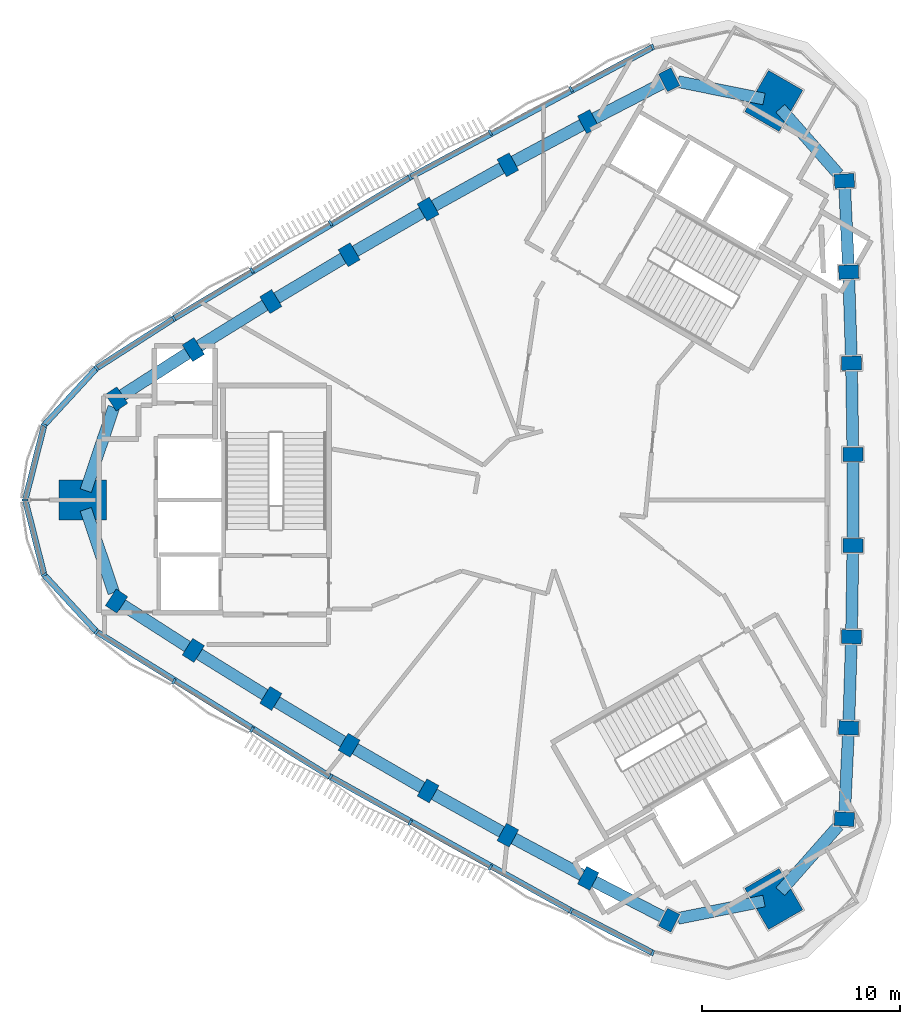
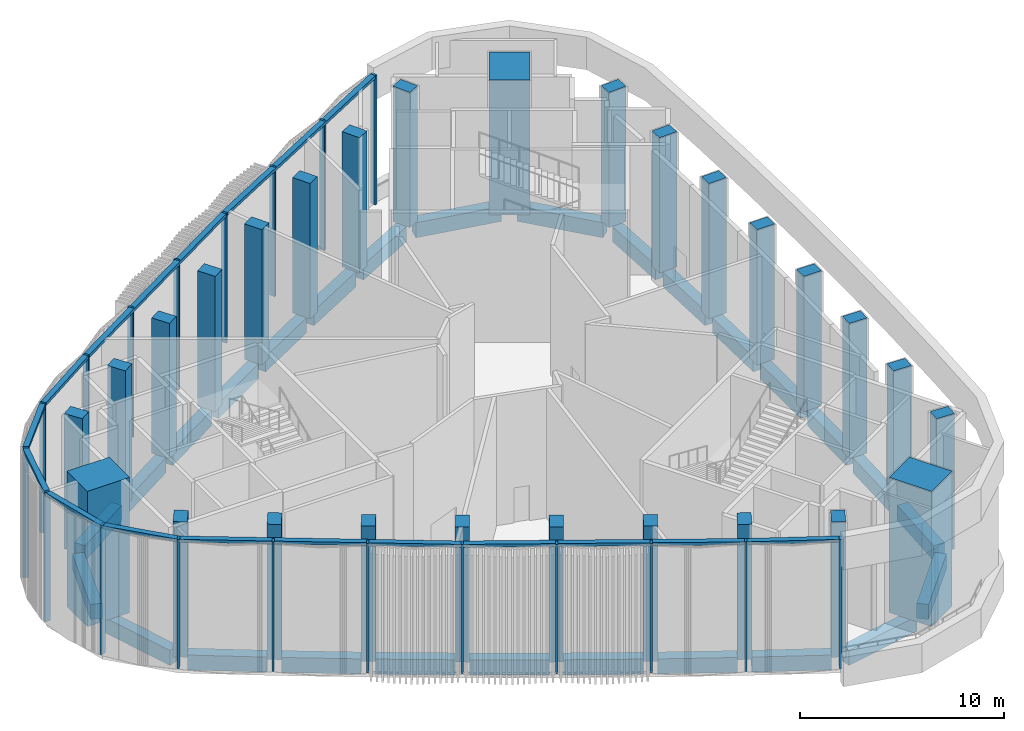
# One storey, part 1 of 11: 29 members, 27 beams, 27 columns, 2 elements without a shape of their own.
"""IFC4 building model written with IfcOpenShell, lengths in metres."""

from ifc_helpers import new_model, si_unit, direction, frame, origin, origin_2d, place, context, subcontext, project, spatial, rectangle, extrude, material, material_profile, profile_set, type_object, element, aggregate, save


model = new_model("IFC4")

# Units and contexts
model_context = context("Model", 3, precision=1e-05, world=origin(), true_north=direction((0.0, 1.0)))
body_context = subcontext(model_context, "Body", "Model", "MODEL_VIEW")
ifc_project = project(units=[si_unit("LENGTHUNIT", "METRE"), si_unit("AREAUNIT", "SQUARE_METRE"), si_unit("VOLUMEUNIT", "CUBIC_METRE"), si_unit("PLANEANGLEUNIT", "RADIAN"), si_unit("MASSUNIT", "GRAM", prefix="KILO")], contexts=[model_context])

# Site, building, storey
site_placement = place(None, origin())
site = spatial("IfcSite", under=ifc_project, at=site_placement, CompositionType="ELEMENT")
building_placement = place(site_placement, origin())
building = spatial("IfcBuilding", under=site, at=building_placement, Name="Tamra Quay Hotel Tower", CompositionType="ELEMENT")
storey_placement = place(building_placement, frame((0.0, 0.0, 312.60009765625)))
storey = spatial("IfcBuildingStorey", under=building, at=storey_placement, Name="L78", CompositionType="ELEMENT", Elevation=312.60009765625)

# Columns
ifc_material_1 = material(Name="Concrete M70", Category="concrete")
ifc_material_profile_1 = material_profile(ifc_material_1, rectangle(XDim=1.0, YDim=0.699951171875, at=origin_2d()), Name="COLUMN RC 700x1000 Z6")
ifc_profile_set_1 = profile_set([ifc_material_profile_1], Name="Concrete M70")
column_type_1 = type_object("IfcColumnType", Name="COLUMN RC 700x1000 Z6", PredefinedType="COLUMN", material=ifc_profile_set_1)
for number, where, z_axis, x_axis, name in (
    (1, (15.202392578125, -16.116943359375, -0.35009765625), (0.0, 0.0, 1.0), (-0.998490919119, 0.05491706873, 0.0), "COL-C6E01-L78"),
    (2, (15.418212890625, -11.51513671875, -0.35009765625), (0.0, 0.0, 1.0), (-0.999251212442, 0.03869127076, 0.0), "COL-C6E02-L78"),
    (3, (15.56201171875, -6.909912109375, -0.35009765625), (0.0, 0.0, 1.0), (-0.999717847188, 0.023753442163, 0.0), "COL-C6E03-L78"),
    (4, (15.634033203125, -2.303466796875, -0.35009765625), (0.0, 0.0, 1.0), (-0.999968634555, 0.007920221337, 0.0), "COL-C6E04-L78"),
    (5, (15.634033203125, 2.303466796875, -0.35009765625), (0.0, 0.0, 1.0), (0.999968634555, 0.007920221337, 0.0), "COL-C6E05-L78"),
    (6, (15.56201171875, 6.909912109375, -0.35009765625), (0.0, 0.0, 1.0), (0.999717847188, 0.023753442163, 0.0), "COL-C6E06-L78"),
    (7, (15.418212890625, 11.51513671875, -0.35009765625), (0.0, 0.0, 1.0), (0.999251212442, 0.03869127076, 0.0), "COL-C6E07-L78"),
    (8, (15.202392578125, 16.116943359375, -0.35009765625), (0.0, 0.0, 1.0), (0.998490919119, 0.05491706873, 0.0), "COL-C6E08-L78"),
    (9, (6.3564453125, 21.22412109375, -0.35009765625), (0.0, 0.0, 1.0), (-0.451685882938, 0.89217703577, 0.0), "COL-C6NW01-L78"),
    (10, (2.26318359375, 19.110107421875, -0.35009765625), (0.0, 0.0, 1.0), (-0.466117982839, 0.884722570117, 0.0), "COL-C6NW02-L78"),
    (11, (-1.796875, 16.93212890625, -0.35009765625), (0.0, 0.0, 1.0), (-0.479287839253, 0.877657773363, 0.0), "COL-C6NW03-L78"),
    (12, (-5.822265625, 14.69140625, -0.35009765625), (0.0, 0.0, 1.0), (-0.493125204396, 0.869958351181, 0.0), "COL-C6NW04-L78"),
    (13, (-9.81201171875, 12.3876953125, -0.35009765625), (0.0, 0.0, 1.0), (-0.506843430159, 0.862038129844, 0.0), "COL-C6NW05-L78"),
    (14, (-13.765380859375, 10.022216796875, -0.35009765625), (0.0, 0.0, 1.0), (-0.520430007934, 0.8539043312, 0.0), "COL-C6NW06-L78"),
    (15, (-17.681396484375, 7.594970703125, -0.35009765625), (0.0, 0.0, 1.0), (-0.533133229604, 0.846031299357, 0.0), "COL-C6NW07-L78"),
    (16, (-21.558837890625, 5.107421875, -0.35009765625), (0.0, 0.0, 1.0), (-0.546805036181, 0.83725996704, 0.0), "COL-C6NW08-L78"),
    (17, (-21.558837890625, -5.107421875, -0.35009765625), (0.0, 0.0, 1.0), (0.546805036181, 0.83725996704, 0.0), "COL-C6SW01-L78"),
    (18, (-17.681396484375, -7.594970703125, -0.35009765625), (0.0, 0.0, 1.0), (0.533133229604, 0.846031299357, 0.0), "COL-C6SW02-L78"),
    (19, (-13.765380859375, -10.022216796875, -0.35009765625), (0.0, 0.0, 1.0), (0.520430007934, 0.8539043312, 0.0), "COL-C6SW03-L78"),
    (20, (-9.81201171875, -12.3876953125, -0.35009765625), (0.0, 0.0, 1.0), (0.506843430159, 0.862038129844, 0.0), "COL-C6SW04-L78"),
    (21, (-5.822265625, -14.69140625, -0.35009765625), (0.0, 0.0, 1.0), (0.493125204396, 0.869958351181, 0.0), "COL-C6SW05-L78"),
    (22, (-1.796875, -16.93212890625, -0.35009765625), (0.0, 0.0, 1.0), (0.479287839253, 0.877657773363, 0.0), "COL-C6SW06-L78"),
    (23, (2.26318359375, -19.110107421875, -0.35009765625), (0.0, 0.0, 1.0), (0.466117982839, 0.884722570117, 0.0), "COL-C6SW07-L78"),
    (24, (6.3564453125, -21.22412109375, -0.35009765625), (0.0, 0.0, 1.0), (0.451685882938, 0.89217703577, 0.0), "COL-C6SW08-L78"),
):
    element("IfcColumn", number, at=place(storey_placement, frame(where, z_axis=z_axis, x_axis=x_axis)), inside=storey, type_object=column_type_1, Name=name, PredefinedType="COLUMN", context=body_context, shape_type="SweptSolid", body=[
        extrude(rectangle(XDim=1.0, YDim=0.699951171875, at=origin_2d()), origin(), (0.0, 0.0, 1.0), 8.10009765625),
    ])
ifc_material_profile_2 = material_profile(ifc_material_1, rectangle(XDim=2.39990234375, YDim=2.0, at=origin_2d()), Name="MEGA COLUMN RC 2000x2400 Z6")
ifc_profile_set_2 = profile_set([ifc_material_profile_2], Name="Concrete M70")
column_type_2 = type_object("IfcColumnType", Name="MEGA COLUMN RC 2000x2400 Z6", PredefinedType="COLUMN", material=ifc_profile_set_2)
for number, where, z_axis, x_axis, name in (
    (25, (11.63671875, 20.1552734375, -0.35009765625), (0.0, 0.0, 1.0), (0.5, 0.866025403784, 0.0), "COL-M6NE-L78"),
    (26, (-23.2734375, 0.0, -0.35009765625), (0.0, 0.0, 1.0), (1.0, 0.0, 0.0), "COL-M6W-L78"),
    (27, (11.63671875, -20.1552734375, -0.35009765625), (0.0, 0.0, 1.0), (-0.5, 0.866025403784, 0.0), "COL-M6SE-L78"),
):
    element("IfcColumn", number, at=place(storey_placement, frame(where, z_axis=z_axis, x_axis=x_axis)), inside=storey, type_object=column_type_2, Name=name, PredefinedType="COLUMN", context=body_context, shape_type="SweptSolid", body=[
        extrude(rectangle(XDim=2.39990234375, YDim=2.0, at=origin_2d()), origin(), (0.0, 0.0, 1.0), 8.10009765625),
    ])

# Curtain wall, members
ifc_material_2 = material(Name="Aluminium 6063 anodised dark grey", Category="aluminium")
curtain_wall_type = type_object("IfcCurtainWallType", Name="CW5 CURTAIN WALL", PredefinedType="NOTDEFINED", material=ifc_material_2)
curtain_wall_1_placement = place(storey_placement, origin())
curtain_wall_1 = element("IfcCurtainWall", 28, at=curtain_wall_1_placement, inside=storey, type_object=curtain_wall_type, Name="CW5 north-west face L78", PredefinedType="NOTDEFINED")
ifc_material_profile_3 = material_profile(ifc_material_2, rectangle(XDim=0.300048828125, YDim=0.1201171875, at=origin_2d()), Name="MULLION 120X300")
ifc_profile_set_3 = profile_set([ifc_material_profile_3], Name="Aluminium 6063 anodised dark grey")
member_type_1 = type_object("IfcMemberType", Name="MULLION CW5", PredefinedType="MULLION", material=ifc_profile_set_3)
member_1_placement = place(storey_placement, frame((5.520751953125, 22.874755859375, 0.0), z_axis=(0.0, 0.0, 1.0), x_axis=(-0.341653449551, 0.939826005391, 0.0)))
member_1 = element("IfcMember", 29, at=member_1_placement, type_object=member_type_1, Name="CW5 mullion L78.NW.1", PredefinedType="MULLION", context=body_context, shape_type="SweptSolid", body=[
    extrude(rectangle(XDim=0.300048828125, YDim=0.1201171875, at=origin_2d()), origin(), (0.0, 0.0, 1.0), 7.75),
])
member_2_placement = place(storey_placement, frame((1.401123046875, 20.746826171875, 0.0), z_axis=(0.0, 0.0, 1.0), x_axis=(-0.465815646639, 0.884881790606, 0.0)))
member_2 = element("IfcMember", 30, at=member_2_placement, type_object=member_type_1, Name="CW5 mullion L78.NW.2", PredefinedType="MULLION", context=body_context, shape_type="SweptSolid", body=[
    extrude(rectangle(XDim=0.300048828125, YDim=0.1201171875, at=origin_2d()), origin(), (0.0, 0.0, 1.0), 7.75),
])
member_3_placement = place(storey_placement, frame((-2.68359375, 18.555908203125, 0.0), z_axis=(0.0, 0.0, 1.0), x_axis=(-0.479564864193, 0.877506433613, 0.0)))
member_3 = element("IfcMember", 31, at=member_3_placement, type_object=member_type_1, Name="CW5 mullion L78.NW.3", PredefinedType="MULLION", context=body_context, shape_type="SweptSolid", body=[
    extrude(rectangle(XDim=0.300048828125, YDim=0.1201171875, at=origin_2d()), origin(), (0.0, 0.0, 1.0), 7.75),
])
member_4_placement = place(storey_placement, frame((-6.734375, 16.30078125, 0.0), z_axis=(0.0, 0.0, 1.0), x_axis=(-0.493215447696, 0.86990719169, 0.0)))
member_4 = element("IfcMember", 32, at=member_4_placement, type_object=member_type_1, Name="CW5 mullion L78.NW.4", PredefinedType="MULLION", context=body_context, shape_type="SweptSolid", body=[
    extrude(rectangle(XDim=0.300048828125, YDim=0.1201171875, at=origin_2d()), origin(), (0.0, 0.0, 1.0), 7.75),
])
member_5_placement = place(storey_placement, frame((-10.74951171875, 13.982666015625, 0.0), z_axis=(0.0, 0.0, 1.0), x_axis=(-0.50675400309, 0.862090703089, 0.0)))
member_5 = element("IfcMember", 33, at=member_5_placement, type_object=member_type_1, Name="CW5 mullion L78.NW.5", PredefinedType="MULLION", context=body_context, shape_type="SweptSolid", body=[
    extrude(rectangle(XDim=0.300048828125, YDim=0.1201171875, at=origin_2d()), origin(), (0.0, 0.0, 1.0), 7.75),
])
member_6_placement = place(storey_placement, frame((-14.72802734375, 11.60205078125, 0.0), z_axis=(0.0, 0.0, 1.0), x_axis=(-0.520160431396, 0.85406857196, 0.0)))
member_6 = element("IfcMember", 34, at=member_6_placement, type_object=member_type_1, Name="CW5 mullion L78.NW.6", PredefinedType="MULLION", context=body_context, shape_type="SweptSolid", body=[
    extrude(rectangle(XDim=0.300048828125, YDim=0.1201171875, at=origin_2d()), origin(), (0.0, 0.0, 1.0), 7.75),
])
member_7_placement = place(storey_placement, frame((-18.667724609375, 9.16015625, 0.0), z_axis=(0.0, 0.0, 1.0), x_axis=(-0.533422286692, 0.845849078773, 0.0)))
member_7 = element("IfcMember", 35, at=member_7_placement, type_object=member_type_1, Name="CW5 mullion L78.NW.7", PredefinedType="MULLION", context=body_context, shape_type="SweptSolid", body=[
    extrude(rectangle(XDim=0.300048828125, YDim=0.1201171875, at=origin_2d()), origin(), (0.0, 0.0, 1.0), 7.75),
])
member_8_placement = place(storey_placement, frame((-22.570556640625, 6.65625, 0.0), z_axis=(0.0, 0.0, 1.0), x_axis=(-0.64308647103, 0.765793569298, 0.0)))
member_8 = element("IfcMember", 36, at=member_8_placement, type_object=member_type_1, Name="CW5 mullion L78.NW.8", PredefinedType="MULLION", context=body_context, shape_type="SweptSolid", body=[
    extrude(rectangle(XDim=0.300048828125, YDim=0.1201171875, at=origin_2d()), origin(), (0.0, 0.0, 1.0), 7.75),
])
member_9_placement = place(storey_placement, frame((-25.21484375, 3.784423828125, 0.0), z_axis=(0.0, 0.0, 1.0), x_axis=(-0.879433050093, 0.476022594427, 0.0)))
member_9 = element("IfcMember", 37, at=member_9_placement, type_object=member_type_1, Name="CW5 mullion L78.NW.9", PredefinedType="MULLION", context=body_context, shape_type="SweptSolid", body=[
    extrude(rectangle(XDim=0.300048828125, YDim=0.1201171875, at=origin_2d()), origin(), (0.0, 0.0, 1.0), 7.75),
])
member_10_placement = place(storey_placement, frame((-26.17333984375, 0.0, 0.0), z_axis=(0.0, 0.0, 1.0), x_axis=(-1.0, 0.0, 0.0)))
member_10 = element("IfcMember", 38, at=member_10_placement, type_object=member_type_1, Name="CW5 mullion L78.NW.10", PredefinedType="MULLION", context=body_context, shape_type="SweptSolid", body=[
    extrude(rectangle(XDim=0.300048828125, YDim=0.1201171875, at=origin_2d()), origin(), (0.0, 0.0, 1.0), 7.75),
])
member_11_placement = place(storey_placement, frame((-25.21484375, -3.784423828125, 0.0), z_axis=(0.0, 0.0, 1.0), x_axis=(-0.879433050093, -0.476022594427, 0.0)))
member_11 = element("IfcMember", 39, at=member_11_placement, type_object=member_type_1, Name="CW5 mullion L78.NW.11", PredefinedType="MULLION", context=body_context, shape_type="SweptSolid", body=[
    extrude(rectangle(XDim=0.300048828125, YDim=0.1201171875, at=origin_2d()), origin(), (0.0, 0.0, 1.0), 7.75),
])

curtain_wall_2_placement = place(storey_placement, origin())
curtain_wall_2 = element("IfcCurtainWall", 40, at=curtain_wall_2_placement, inside=storey, type_object=curtain_wall_type, Name="CW5 south-west face L78", PredefinedType="NOTDEFINED")
member_12_placement = place(storey_placement, frame((-22.570556640625, -6.65625, 0.0), z_axis=(0.0, 0.0, 1.0), x_axis=(-0.64308647103, -0.765793569298, 0.0)))
member_12 = element("IfcMember", 41, at=member_12_placement, type_object=member_type_1, Name="CW5 mullion L78.SW.1", PredefinedType="MULLION", context=body_context, shape_type="SweptSolid", body=[
    extrude(rectangle(XDim=0.300048828125, YDim=0.1201171875, at=origin_2d()), origin(), (0.0, 0.0, 1.0), 7.75),
])
member_13_placement = place(storey_placement, frame((-18.667724609375, -9.16015625, 0.0), z_axis=(0.0, 0.0, 1.0), x_axis=(-0.533422286692, -0.845849078773, 0.0)))
member_13 = element("IfcMember", 42, at=member_13_placement, type_object=member_type_1, Name="CW5 mullion L78.SW.2", PredefinedType="MULLION", context=body_context, shape_type="SweptSolid", body=[
    extrude(rectangle(XDim=0.300048828125, YDim=0.1201171875, at=origin_2d()), origin(), (0.0, 0.0, 1.0), 7.75),
])
member_14_placement = place(storey_placement, frame((-14.72802734375, -11.60205078125, 0.0), z_axis=(0.0, 0.0, 1.0), x_axis=(-0.520160431396, -0.85406857196, 0.0)))
member_14 = element("IfcMember", 43, at=member_14_placement, type_object=member_type_1, Name="CW5 mullion L78.SW.3", PredefinedType="MULLION", context=body_context, shape_type="SweptSolid", body=[
    extrude(rectangle(XDim=0.300048828125, YDim=0.1201171875, at=origin_2d()), origin(), (0.0, 0.0, 1.0), 7.75),
])
member_15_placement = place(storey_placement, frame((-10.74951171875, -13.982666015625, 0.0), z_axis=(0.0, 0.0, 1.0), x_axis=(-0.50675400309, -0.862090703089, 0.0)))
member_15 = element("IfcMember", 44, at=member_15_placement, type_object=member_type_1, Name="CW5 mullion L78.SW.4", PredefinedType="MULLION", context=body_context, shape_type="SweptSolid", body=[
    extrude(rectangle(XDim=0.300048828125, YDim=0.1201171875, at=origin_2d()), origin(), (0.0, 0.0, 1.0), 7.75),
])
member_16_placement = place(storey_placement, frame((-6.734375, -16.30078125, 0.0), z_axis=(0.0, 0.0, 1.0), x_axis=(-0.493215447696, -0.86990719169, 0.0)))
member_16 = element("IfcMember", 45, at=member_16_placement, type_object=member_type_1, Name="CW5 mullion L78.SW.5", PredefinedType="MULLION", context=body_context, shape_type="SweptSolid", body=[
    extrude(rectangle(XDim=0.300048828125, YDim=0.1201171875, at=origin_2d()), origin(), (0.0, 0.0, 1.0), 7.75),
])
member_17_placement = place(storey_placement, frame((-2.68359375, -18.555908203125, 0.0), z_axis=(0.0, 0.0, 1.0), x_axis=(-0.479564864193, -0.877506433613, 0.0)))
member_17 = element("IfcMember", 46, at=member_17_placement, type_object=member_type_1, Name="CW5 mullion L78.SW.6", PredefinedType="MULLION", context=body_context, shape_type="SweptSolid", body=[
    extrude(rectangle(XDim=0.300048828125, YDim=0.1201171875, at=origin_2d()), origin(), (0.0, 0.0, 1.0), 7.75),
])
member_18_placement = place(storey_placement, frame((1.401123046875, -20.746826171875, 0.0), z_axis=(0.0, 0.0, 1.0), x_axis=(-0.465815646639, -0.884881790606, 0.0)))
member_18 = element("IfcMember", 47, at=member_18_placement, type_object=member_type_1, Name="CW5 mullion L78.SW.7", PredefinedType="MULLION", context=body_context, shape_type="SweptSolid", body=[
    extrude(rectangle(XDim=0.300048828125, YDim=0.1201171875, at=origin_2d()), origin(), (0.0, 0.0, 1.0), 7.75),
])
member_19_placement = place(storey_placement, frame((5.520751953125, -22.874755859375, 0.0), z_axis=(0.0, 0.0, 1.0), x_axis=(-0.341653449551, -0.939826005391, 0.0)))
member_19 = element("IfcMember", 48, at=member_19_placement, type_object=member_type_1, Name="CW5 mullion L78.SW.8", PredefinedType="MULLION", context=body_context, shape_type="SweptSolid", body=[
    extrude(rectangle(XDim=0.300048828125, YDim=0.1201171875, at=origin_2d()), origin(), (0.0, 0.0, 1.0), 7.75),
])

# Beams
ifc_material_3 = material(Name="Concrete M60", Category="concrete")
ifc_material_profile_4 = material_profile(ifc_material_3, rectangle(XDim=0.60009765625, YDim=0.89990234375, at=origin_2d()), Name="SPANDREL BEAM RC 600x900")
ifc_profile_set_4 = profile_set([ifc_material_profile_4], Name="Concrete M60")
beam_type = type_object("IfcBeamType", Name="SPANDREL BEAM RC 600x900", PredefinedType="SPANDREL", material=ifc_profile_set_4)
beam_1_placement = place(storey_placement, frame((15.218994140625, -15.767333984375, -0.800048828125), z_axis=(0.04680507522, 0.998904041905, 0.0), x_axis=(-0.998904041905, 0.04680507522, 0.0)))
element("IfcBeam", 49, at=beam_1_placement, inside=storey, type_object=beam_type, Name="BM-SP6-000-L78", PredefinedType="SPANDREL", context=body_context, shape_type="SweptSolid", body=[
    extrude(rectangle(XDim=0.60009765625, YDim=0.89990234375, at=origin_2d()), origin(), (0.0, 0.0, 1.0), 3.906982421875),
])
beam_2_placement = place(storey_placement, frame((15.42919921875, -11.165283203125, -0.800048828125), z_axis=(0.031240604276, 0.999511893198, 0.0), x_axis=(-0.999511893198, 0.031240604276, 0.0)))
element("IfcBeam", 50, at=beam_2_placement, inside=storey, type_object=beam_type, Name="BM-SP6-001-L78", PredefinedType="SPANDREL", context=body_context, shape_type="SweptSolid", body=[
    extrude(rectangle(XDim=0.60009765625, YDim=0.89990234375, at=origin_2d()), origin(), (0.0, 0.0, 1.0), 3.907470703125),
])
beam_3_placement = place(storey_placement, frame((15.567626953125, -6.559814453125, -0.800048828125), z_axis=(0.015623093001, 0.999877952035, 0.0), x_axis=(-0.999877952035, 0.015623093001, 0.0)))
element("IfcBeam", 51, at=beam_3_placement, inside=storey, type_object=beam_type, Name="BM-SP6-002-L78", PredefinedType="SPANDREL", context=body_context, shape_type="SweptSolid", body=[
    extrude(rectangle(XDim=0.60009765625, YDim=0.89990234375, at=origin_2d()), origin(), (0.0, 0.0, 1.0), 3.90673828125),
])
beam_4_placement = place(storey_placement, frame((15.634033203125, -1.95361328125, -0.800048828125), z_axis=(0.0, 1.0, 0.0), x_axis=(-1.0, 0.0, 0.0)))
element("IfcBeam", 52, at=beam_4_placement, inside=storey, type_object=beam_type, Name="BM-SP6-003-L78", PredefinedType="SPANDREL", context=body_context, shape_type="SweptSolid", body=[
    extrude(rectangle(XDim=0.60009765625, YDim=0.89990234375, at=origin_2d()), origin(), (0.0, 0.0, 1.0), 3.9072265625),
])
beam_5_placement = place(storey_placement, frame((15.628662109375, 2.653564453125, -0.800048828125), z_axis=(-0.015623093001, 0.999877952035, 0.0), x_axis=(-0.999877952035, -0.015623093001, 0.0)))
element("IfcBeam", 53, at=beam_5_placement, inside=storey, type_object=beam_type, Name="BM-SP6-004-L78", PredefinedType="SPANDREL", context=body_context, shape_type="SweptSolid", body=[
    extrude(rectangle(XDim=0.60009765625, YDim=0.89990234375, at=origin_2d()), origin(), (0.0, 0.0, 1.0), 3.90673828125),
])
beam_6_placement = place(storey_placement, frame((15.55126953125, 7.259765625, -0.800048828125), z_axis=(-0.031240604276, 0.999511893198, 0.0), x_axis=(-0.999511893198, -0.031240604276, 0.0)))
element("IfcBeam", 54, at=beam_6_placement, inside=storey, type_object=beam_type, Name="BM-SP6-005-L78", PredefinedType="SPANDREL", context=body_context, shape_type="SweptSolid", body=[
    extrude(rectangle(XDim=0.60009765625, YDim=0.89990234375, at=origin_2d()), origin(), (0.0, 0.0, 1.0), 3.907470703125),
])
beam_7_placement = place(storey_placement, frame((15.40185546875, 11.86474609375, -0.800048828125), z_axis=(-0.04680507522, 0.998904041905, 0.0), x_axis=(-0.998904041905, -0.04680507522, 0.0)))
element("IfcBeam", 55, at=beam_7_placement, inside=storey, type_object=beam_type, Name="BM-SP6-006-L78", PredefinedType="SPANDREL", context=body_context, shape_type="SweptSolid", body=[
    extrude(rectangle(XDim=0.60009765625, YDim=0.89990234375, at=origin_2d()), origin(), (0.0, 0.0, 1.0), 3.906982421875),
])
beam_8_placement = place(storey_placement, frame((14.9072265625, 16.451171875, -0.800048828125), z_axis=(-0.661856103448, 0.749630908066, 0.0), x_axis=(-0.749630908066, -0.661856103448, 0.0)))
element("IfcBeam", 56, at=beam_8_placement, inside=storey, type_object=beam_type, Name="BM-SP6-007-L78", PredefinedType="SPANDREL", context=body_context, shape_type="SweptSolid", body=[
    extrude(rectangle(XDim=0.60009765625, YDim=0.89990234375, at=origin_2d()), origin(), (0.0, 0.0, 1.0), 4.44189453125),
])
beam_9_placement = place(storey_placement, frame((11.146728515625, 20.25439453125, -0.800048828125), z_axis=(-0.980114952618, 0.198430541133, 0.0), x_axis=(-0.198430541133, -0.980114952618, 0.0)))
element("IfcBeam", 57, at=beam_9_placement, inside=storey, type_object=beam_type, Name="BM-SP6-008-L78", PredefinedType="SPANDREL", context=body_context, shape_type="SweptSolid", body=[
    extrude(rectangle(XDim=0.60009765625, YDim=0.89990234375, at=origin_2d()), origin(), (0.0, 0.0, 1.0), 4.441650390625),
])
beam_10_placement = place(storey_placement, frame((6.04541015625, 21.063720703125, -0.800048828125), z_axis=(-0.888476019227, -0.458923047208, 0.0), x_axis=(0.458923047208, -0.888476019227, 0.0)))
element("IfcBeam", 58, at=beam_10_placement, inside=storey, type_object=beam_type, Name="BM-SP6-009-L78", PredefinedType="SPANDREL", context=body_context, shape_type="SweptSolid", body=[
    extrude(rectangle(XDim=0.60009765625, YDim=0.89990234375, at=origin_2d()), origin(), (0.0, 0.0, 1.0), 3.906982421875),
])
beam_11_placement = place(storey_placement, frame((1.954833984375, 18.944580078125, -0.800048828125), z_axis=(-0.88123835064, -0.472672158437, 0.0), x_axis=(0.472672158437, -0.88123835064, 0.0)))
element("IfcBeam", 59, at=beam_11_placement, inside=storey, type_object=beam_type, Name="BM-SP6-010-L78", PredefinedType="SPANDREL", context=body_context, shape_type="SweptSolid", body=[
    extrude(rectangle(XDim=0.60009765625, YDim=0.89990234375, at=origin_2d()), origin(), (0.0, 0.0, 1.0), 3.907470703125),
])
for number, where, z_axis, x_axis, name in (
    (60, (-2.102783203125, 16.761962890625, -0.800048828125), (-0.873726581477, -0.486417373066, 0.0), (0.486417373066, -0.873726581477, 0.0), "BM-SP6-011-L78"),
    (61, (-6.125244140625, 14.516357421875, -0.800048828125), (-0.866011803689, -0.500023555316, 0.0), (0.500023555316, -0.866011803689, 0.0), "BM-SP6-012-L78"),
):
    element("IfcBeam", number, at=place(storey_placement, frame(where, z_axis=z_axis, x_axis=x_axis)), inside=storey, type_object=beam_type, Name=name, PredefinedType="SPANDREL", context=body_context, shape_type="SweptSolid", body=[
        extrude(rectangle(XDim=0.60009765625, YDim=0.89990234375, at=origin_2d()), origin(), (0.0, 0.0, 1.0), 3.906982421875),
    ])
beam_12_placement = place(storey_placement, frame((-10.1123046875, 12.2080078125, -0.800048828125), z_axis=(-0.858120821909, -0.513447811376, 0.0), x_axis=(0.513447811376, -0.858120821909, 0.0)))
element("IfcBeam", 62, at=beam_12_placement, inside=storey, type_object=beam_type, Name="BM-SP6-013-L78", PredefinedType="SPANDREL", context=body_context, shape_type="SweptSolid", body=[
    extrude(rectangle(XDim=0.60009765625, YDim=0.89990234375, at=origin_2d()), origin(), (0.0, 0.0, 1.0), 3.9072265625),
])
beam_13_placement = place(storey_placement, frame((-14.062744140625, 9.837890625, -0.800048828125), z_axis=(-0.849972078006, -0.526827739029, 0.0), x_axis=(0.526827739029, -0.849972078006, 0.0)))
element("IfcBeam", 63, at=beam_13_placement, inside=storey, type_object=beam_type, Name="BM-SP6-014-L78", PredefinedType="SPANDREL", context=body_context, shape_type="SweptSolid", body=[
    extrude(rectangle(XDim=0.60009765625, YDim=0.89990234375, at=origin_2d()), origin(), (0.0, 0.0, 1.0), 3.907470703125),
])
beam_14_placement = place(storey_placement, frame((-17.97607421875, 7.406005859375, -0.800048828125), z_axis=(-0.841679613882, -0.539977247276, 0.0), x_axis=(0.539977247276, -0.841679613882, 0.0)))
element("IfcBeam", 64, at=beam_14_placement, inside=storey, type_object=beam_type, Name="BM-SP6-015-L78", PredefinedType="SPANDREL", context=body_context, shape_type="SweptSolid", body=[
    extrude(rectangle(XDim=0.60009765625, YDim=0.89990234375, at=origin_2d()), origin(), (0.0, 0.0, 1.0), 3.906982421875),
])
for number, where, z_axis, x_axis, name in (
    (65, (-21.70068359375, 4.6845703125, -0.800048828125), (-0.318271531925, -0.947999594919, 0.0), (0.947999594919, -0.318271531925, 0.0), "BM-SP6-016-L78"),
    (66, (-23.114501953125, -0.473388671875, -0.800048828125), (0.318271531925, -0.947999594919, 0.0), (0.947999594919, 0.318271531925, 0.0), "BM-SP6-017-L78"),
):
    element("IfcBeam", number, at=place(storey_placement, frame(where, z_axis=z_axis, x_axis=x_axis)), inside=storey, type_object=beam_type, Name=name, PredefinedType="SPANDREL", context=body_context, shape_type="SweptSolid", body=[
        extrude(rectangle(XDim=0.60009765625, YDim=0.89990234375, at=origin_2d()), origin(), (0.0, 0.0, 1.0), 4.442138671875),
    ])
beam_15_placement = place(storey_placement, frame((-21.264404296875, -5.29638671875, -0.800048828125), z_axis=(0.841679613882, -0.539977247276, 0.0), x_axis=(0.539977247276, 0.841679613882, 0.0)))
element("IfcBeam", 67, at=beam_15_placement, inside=storey, type_object=beam_type, Name="BM-SP6-018-L78", PredefinedType="SPANDREL", context=body_context, shape_type="SweptSolid", body=[
    extrude(rectangle(XDim=0.60009765625, YDim=0.89990234375, at=origin_2d()), origin(), (0.0, 0.0, 1.0), 3.906982421875),
])
beam_16_placement = place(storey_placement, frame((-17.384033203125, -7.779296875, -0.800048828125), z_axis=(0.849972078006, -0.526827739029, 0.0), x_axis=(0.526827739029, 0.849972078006, 0.0)))
element("IfcBeam", 68, at=beam_16_placement, inside=storey, type_object=beam_type, Name="BM-SP6-019-L78", PredefinedType="SPANDREL", context=body_context, shape_type="SweptSolid", body=[
    extrude(rectangle(XDim=0.60009765625, YDim=0.89990234375, at=origin_2d()), origin(), (0.0, 0.0, 1.0), 3.907470703125),
])
beam_17_placement = place(storey_placement, frame((-13.465087890625, -10.201904296875, -0.800048828125), z_axis=(0.858120821909, -0.513447811376, 0.0), x_axis=(0.513447811376, 0.858120821909, 0.0)))
element("IfcBeam", 69, at=beam_17_placement, inside=storey, type_object=beam_type, Name="BM-SP6-020-L78", PredefinedType="SPANDREL", context=body_context, shape_type="SweptSolid", body=[
    extrude(rectangle(XDim=0.60009765625, YDim=0.89990234375, at=origin_2d()), origin(), (0.0, 0.0, 1.0), 3.9072265625),
])
for number, where, z_axis, x_axis, name in (
    (70, (-9.5087890625, -12.562744140625, -0.800048828125), (0.866011803689, -0.500023555316, 0.0), (0.500023555316, 0.866011803689, 0.0), "BM-SP6-021-L78"),
    (71, (-5.516357421875, -14.861572265625, -0.800048828125), (0.873726581477, -0.486417373066, 0.0), (0.486417373066, 0.873726581477, 0.0), "BM-SP6-022-L78"),
):
    element("IfcBeam", number, at=place(storey_placement, frame(where, z_axis=z_axis, x_axis=x_axis)), inside=storey, type_object=beam_type, Name=name, PredefinedType="SPANDREL", context=body_context, shape_type="SweptSolid", body=[
        extrude(rectangle(XDim=0.60009765625, YDim=0.89990234375, at=origin_2d()), origin(), (0.0, 0.0, 1.0), 3.906982421875),
    ])
beam_18_placement = place(storey_placement, frame((-1.488525390625, -17.09765625, -0.800048828125), z_axis=(0.88123835064, -0.472672158437, 0.0), x_axis=(0.472672158437, 0.88123835064, 0.0)))
element("IfcBeam", 72, at=beam_18_placement, inside=storey, type_object=beam_type, Name="BM-SP6-023-L78", PredefinedType="SPANDREL", context=body_context, shape_type="SweptSolid", body=[
    extrude(rectangle(XDim=0.60009765625, YDim=0.89990234375, at=origin_2d()), origin(), (0.0, 0.0, 1.0), 3.907470703125),
])
beam_19_placement = place(storey_placement, frame((2.57421875, -19.270751953125, -0.800048828125), z_axis=(0.888476019227, -0.458923047208, 0.0), x_axis=(0.458923047208, 0.888476019227, 0.0)))
element("IfcBeam", 73, at=beam_19_placement, inside=storey, type_object=beam_type, Name="BM-SP6-024-L78", PredefinedType="SPANDREL", context=body_context, shape_type="SweptSolid", body=[
    extrude(rectangle(XDim=0.60009765625, YDim=0.89990234375, at=origin_2d()), origin(), (0.0, 0.0, 1.0), 3.906982421875),
])
beam_20_placement = place(storey_placement, frame((6.79345703125, -21.1357421875, -0.800048828125), z_axis=(0.980114952618, 0.198430541133, 0.0), x_axis=(-0.198430541133, 0.980114952618, 0.0)))
element("IfcBeam", 74, at=beam_20_placement, inside=storey, type_object=beam_type, Name="BM-SP6-025-L78", PredefinedType="SPANDREL", context=body_context, shape_type="SweptSolid", body=[
    extrude(rectangle(XDim=0.60009765625, YDim=0.89990234375, at=origin_2d()), origin(), (0.0, 0.0, 1.0), 4.441650390625),
])
beam_21_placement = place(storey_placement, frame((11.96728515625, -19.781005859375, -0.800048828125), z_axis=(0.661856103448, 0.749630908066, 0.0), x_axis=(-0.749630908066, 0.661856103448, 0.0)))
element("IfcBeam", 75, at=beam_21_placement, inside=storey, type_object=beam_type, Name="BM-SP6-026-L78", PredefinedType="SPANDREL", context=body_context, shape_type="SweptSolid", body=[
    extrude(rectangle(XDim=0.60009765625, YDim=0.89990234375, at=origin_2d()), origin(), (0.0, 0.0, 1.0), 4.44189453125),
])

# Member
ifc_material_profile_5 = material_profile(ifc_material_2, rectangle(XDim=0.300048828125, YDim=0.179931640625, at=origin_2d()), Name="TRANSOM 300X180")
ifc_profile_set_5 = profile_set([ifc_material_profile_5], Name="Aluminium 6063 anodised dark grey")
member_type_2 = type_object("IfcMemberType", Name="TRANSOM CW5", PredefinedType="USERDEFINED", material=ifc_profile_set_5)
member_20_placement = place(storey_placement, frame((5.467529296875, 22.84716796875, 7.659912109375), z_axis=(-0.881220540479, -0.472705361762, 0.0), x_axis=(0.472705361762, -0.881220540479, 0.0)))
member_20 = element("IfcMember", 76, at=member_20_placement, type_object=member_type_2, Name="CW5 transom L78.NW.1", ObjectType="TRANSOM", PredefinedType="USERDEFINED", context=body_context, shape_type="SweptSolid", body=[
    extrude(rectangle(XDim=0.300048828125, YDim=0.179931640625, at=origin_2d()), origin(), (0.0, 0.0, 1.0), 13.787353515625),
])

member_21_placement = place(storey_placement, frame((-6.786376953125, 16.270751953125, 7.659912109375), z_axis=(-0.858103266167, -0.513477150995, 0.0), x_axis=(0.513477150995, -0.858103266167, 0.0)))
member_21 = element("IfcMember", 77, at=member_21_placement, type_object=member_type_2, Name="CW5 transom L78.NW.4", ObjectType="TRANSOM", PredefinedType="USERDEFINED", context=body_context, shape_type="SweptSolid", body=[
    extrude(rectangle(XDim=0.300048828125, YDim=0.179931640625, at=origin_2d()), origin(), (0.0, 0.0, 1.0), 13.78662109375),
])

member_22_placement = place(storey_placement, frame((-18.71826171875, 9.127685546875, 7.659912109375), z_axis=(-0.841683885336, -0.539970589167, 0.0), x_axis=(0.539970589167, -0.841683885336, 0.0)))
member_22 = element("IfcMember", 78, at=member_22_placement, type_object=member_type_2, Name="CW5 transom L78.NW.7", ObjectType="TRANSOM", PredefinedType="USERDEFINED", context=body_context, shape_type="SweptSolid", body=[
    extrude(rectangle(XDim=0.300048828125, YDim=0.179931640625, at=origin_2d()), origin(), (0.0, 0.0, 1.0), 4.516845703125),
])

member_23_placement = place(storey_placement, frame((-22.611083984375, 6.612060546875, 7.659912109375), z_axis=(-0.677408692374, -0.735606867488, 0.0), x_axis=(0.735606867488, -0.677408692374, 0.0)))
member_23 = element("IfcMember", 79, at=member_23_placement, type_object=member_type_2, Name="CW5 transom L78.NW.8", ObjectType="TRANSOM", PredefinedType="USERDEFINED", context=body_context, shape_type="SweptSolid", body=[
    extrude(rectangle(XDim=0.300048828125, YDim=0.179931640625, at=origin_2d()), origin(), (0.0, 0.0, 1.0), 3.783935546875),
])

member_24_placement = place(storey_placement, frame((-25.2294921875, 3.726318359375, 7.659912109375), z_axis=(-0.245555408395, -0.96938255679, 0.0), x_axis=(0.96938255679, -0.245555408395, 0.0)))
member_24 = element("IfcMember", 80, at=member_24_placement, type_object=member_type_2, Name="CW5 transom L78.NW.9", ObjectType="TRANSOM", PredefinedType="USERDEFINED", context=body_context, shape_type="SweptSolid", body=[
    extrude(rectangle(XDim=0.300048828125, YDim=0.179931640625, at=origin_2d()), origin(), (0.0, 0.0, 1.0), 3.7841796875),
])

member_25_placement = place(storey_placement, frame((-26.15869140625, -0.05810546875, 7.659912109375), z_axis=(0.245555408395, -0.96938255679, 0.0), x_axis=(0.96938255679, 0.245555408395, 0.0)))
member_25 = element("IfcMember", 81, at=member_25_placement, type_object=member_type_2, Name="CW5 transom L78.NW.10", ObjectType="TRANSOM", PredefinedType="USERDEFINED", context=body_context, shape_type="SweptSolid", body=[
    extrude(rectangle(XDim=0.300048828125, YDim=0.179931640625, at=origin_2d()), origin(), (0.0, 0.0, 1.0), 3.7841796875),
])

member_26_placement = place(storey_placement, frame((-25.17431640625, -3.82861328125, 7.659912109375), z_axis=(0.677408692374, -0.735606867488, 0.0), x_axis=(0.735606867488, 0.677408692374, 0.0)))
member_26 = element("IfcMember", 82, at=member_26_placement, type_object=member_type_2, Name="CW5 transom L78.NW.11", ObjectType="TRANSOM", PredefinedType="USERDEFINED", context=body_context, shape_type="SweptSolid", body=[
    extrude(rectangle(XDim=0.300048828125, YDim=0.179931640625, at=origin_2d()), origin(), (0.0, 0.0, 1.0), 3.783935546875),
])

aggregate(curtain_wall_1, [member_1, member_20, member_2, member_3, member_4, member_21, member_5, member_6, member_7, member_22, member_8, member_23, member_9, member_24, member_10, member_25, member_11, member_26])

member_27_placement = place(storey_placement, frame((-22.52001953125, -6.688720703125, 7.659912109375), z_axis=(0.849994830177, -0.526791029415, 0.0), x_axis=(0.526791029415, 0.849994830177, 0.0)))
member_27 = element("IfcMember", 83, at=member_27_placement, type_object=member_type_2, Name="CW5 transom L78.SW.1", ObjectType="TRANSOM", PredefinedType="USERDEFINED", context=body_context, shape_type="SweptSolid", body=[
    extrude(rectangle(XDim=0.300048828125, YDim=0.179931640625, at=origin_2d()), origin(), (0.0, 0.0, 1.0), 13.787109375),
])

member_28_placement = place(storey_placement, frame((-10.69775390625, -14.0126953125, 7.659912109375), z_axis=(0.873736790034, -0.486399035506, 0.0), x_axis=(0.486399035506, 0.873736790034, 0.0)))
member_28 = element("IfcMember", 84, at=member_28_placement, type_object=member_type_2, Name="CW5 transom L78.SW.4", ObjectType="TRANSOM", PredefinedType="USERDEFINED", context=body_context, shape_type="SweptSolid", body=[
    extrude(rectangle(XDim=0.300048828125, YDim=0.179931640625, at=origin_2d()), origin(), (0.0, 0.0, 1.0), 13.78662109375),
])

member_29_placement = place(storey_placement, frame((1.454345703125, -20.7744140625, 7.659912109375), z_axis=(0.888491290023, -0.458893481707, 0.0), x_axis=(0.458893481707, 0.888491290023, 0.0)))
member_29 = element("IfcMember", 85, at=member_29_placement, type_object=member_type_2, Name="CW5 transom L78.SW.7", ObjectType="TRANSOM", PredefinedType="USERDEFINED", context=body_context, shape_type="SweptSolid", body=[
    extrude(rectangle(XDim=0.300048828125, YDim=0.179931640625, at=origin_2d()), origin(), (0.0, 0.0, 1.0), 4.516845703125),
])

aggregate(curtain_wall_2, [member_12, member_27, member_13, member_14, member_15, member_28, member_16, member_17, member_18, member_29, member_19])

save(model, "model.ifc")
